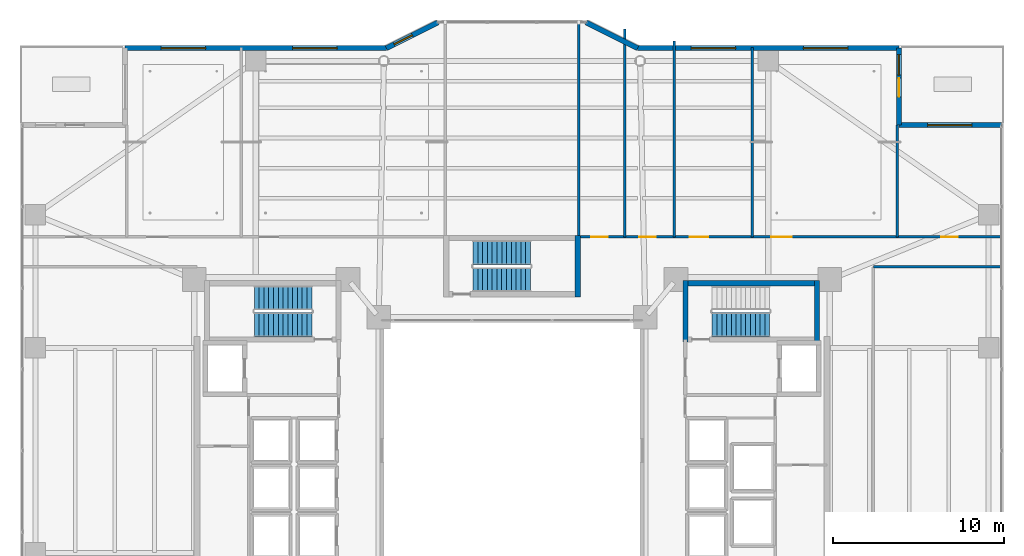
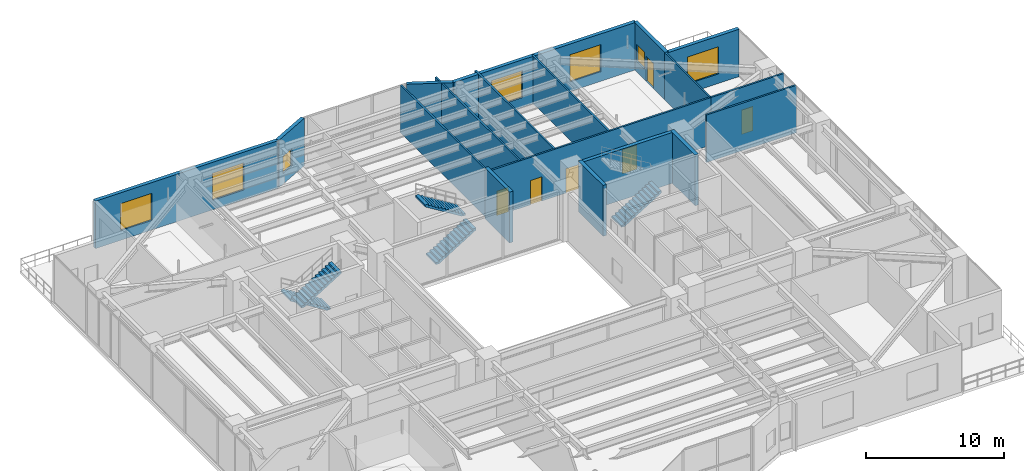
# One storey, part 32 of 40: 18 walls, 7 windows, 6 doors, 5 stair flights, 13 openings, 3 elements without a shape of their own.
"""IFC4 building model written with IfcOpenShell, lengths in metres."""

from ifc_helpers import new_model, si_unit, direction, frame, frame_2d, origin, place, context, subcontext, project, spatial, polyline, rectangle, outline, extrude, material, layer, layer_set, type_object, element, fill, aggregate, save


model = new_model("IFC4")

# Units and contexts
model_context = context("Model", 3, precision=1e-05, world=origin(), true_north=direction((0.0, 1.0)))
body_context = subcontext(model_context, "Body", "Model", "MODEL_VIEW")
ifc_project = project(units=[si_unit("LENGTHUNIT", "METRE"), si_unit("AREAUNIT", "SQUARE_METRE"), si_unit("VOLUMEUNIT", "CUBIC_METRE"), si_unit("PLANEANGLEUNIT", "RADIAN"), si_unit("MASSUNIT", "GRAM", prefix="KILO")], contexts=[model_context])

# Site, building, storey
site_placement = place(None, origin())
site = spatial("IfcSite", under=ifc_project, at=site_placement, CompositionType="ELEMENT")
building_placement = place(site_placement, origin())
building = spatial("IfcBuilding", under=site, at=building_placement, Name="Tarnavaz Court Tower", CompositionType="ELEMENT")
storey_placement = place(building_placement, frame((0.0, 0.0, 64.199951171875)))
storey = spatial("IfcBuildingStorey", under=building, at=storey_placement, Name="L17", CompositionType="ELEMENT", Elevation=64.199951171875)

# Walls
ifc_material_1 = material(Name="Concrete C60/75", Category="concrete")
ifc_layer_1 = layer(ifc_material_1, 0.300048828125)
ifc_layer_set_1 = layer_set([ifc_layer_1], Name="Concrete C60/75")
wall_type_1 = type_object("IfcWallType", Name="WL-CORE-300-C60", PredefinedType="SHEAR", material=ifc_layer_set_1)
wall_1_placement = place(storey_placement, frame((10.0, 9.7900390625, 0.0), z_axis=(0.0, 0.0, 1.0), x_axis=(1.0, 0.0, 0.0)))
element("IfcWall", 1, at=wall_1_placement, inside=storey, type_object=wall_type_1, Name="L17 East Stair Core Wall 005", PredefinedType="SHEAR", context=body_context, shape_type="SweptSolid", body=[
    extrude(rectangle(XDim=8.0, YDim=0.300048828125, at=frame_2d((4.0, 0.0))), origin(), (0.0, 0.0, 1.0), 4.5),
])
for number, where, z_axis, x_axis, name in (
    (2, (10.14990234375, 6.35009765625, 0.0), (0.0, 0.0, 1.0), (0.0, 1.0, 0.0), "L17 East Stair Core Wall 007"),
    (3, (17.85009765625, 6.35009765625, 0.0), (0.0, 0.0, 1.0), (0.0, 1.0, 0.0), "L17 East Stair Core Wall 008"),
):
    element("IfcWall", number, at=place(storey_placement, frame(where, z_axis=z_axis, x_axis=x_axis)), inside=storey, type_object=wall_type_1, Name=name, PredefinedType="SHEAR", context=body_context, shape_type="SweptSolid", body=[
        extrude(rectangle(XDim=3.58984375, YDim=0.300048828125, at=frame_2d((1.794921875, 0.0))), origin(), (0.0, 0.0, 1.0), 4.5),
    ])
wall_2_placement = place(storey_placement, frame((3.85009765625, 9.0, 0.0), z_axis=(0.0, 0.0, 1.0), x_axis=(0.0, 1.0, 0.0)))
element("IfcWall", 4, at=wall_2_placement, inside=storey, type_object=wall_type_1, Name="L17 North Stair Core Wall 012", PredefinedType="SHEAR", context=body_context, shape_type="SweptSolid", body=[
    extrude(rectangle(XDim=3.590087890625, YDim=0.300048828125, at=frame_2d((1.794921875, 0.0))), origin(), (0.0, 0.0, 1.0), 4.5),
])

# Wall, openings, windows
ifc_material_2 = material(Name="Precast Concrete C40/50", Category="concrete")
ifc_layer_2 = layer(ifc_material_2, 0.300048828125)
ifc_layer_set_2 = layer_set([ifc_layer_2], Name="Precast Concrete C40/50")
wall_type_2 = type_object("IfcWallType", Name="WL-EXT-300", PredefinedType="SOLIDWALL", material=ifc_layer_set_2)
wall_3_placement = place(storey_placement, frame((-22.64990234375, 23.550048828125, 0.0), z_axis=(0.0, 0.0, 1.0), x_axis=(1.0, 0.0, 0.0)))
wall_3 = element("IfcWall", 5, at=wall_3_placement, inside=storey, type_object=wall_type_2, Name="L17 Exterior Terracotta Facade Wall 05", PredefinedType="SOLIDWALL", context=body_context, shape_type="SweptSolid", body=[
    extrude(rectangle(XDim=15.2998046875, YDim=0.300048828125, at=frame_2d((7.64990234375, 0.0))), origin(), (0.0, 0.0, 1.0), 4.199951171875),
])
opening_1_placement = place(wall_3_placement, frame((2.111083984375, 0.0, 0.85009765625)))
opening_1 = element("IfcOpeningElement", 6, at=opening_1_placement, cuts=wall_3, Name="Opening W11", PredefinedType="OPENING", context=body_context, shape_type="SweptSolid", body=[
    extrude(rectangle(XDim=2.60009765625, YDim=2.39990234375, at=frame_2d((1.300048828125, 1.199951171875))), frame((0.0, 0.159912109375, 0.0), z_axis=(0.0, -1.0, 0.0), x_axis=(1.0, 0.0, 0.0)), (0.0, 0.0, 1.0), 0.320068359375),
])
opening_2_placement = place(wall_3_placement, frame((9.811279296875, 0.0, 0.85009765625)))
opening_2 = element("IfcOpeningElement", 7, at=opening_2_placement, cuts=wall_3, Name="Opening W11", PredefinedType="OPENING", context=body_context, shape_type="SweptSolid", body=[
    extrude(rectangle(XDim=2.60009765625, YDim=2.39990234375, at=frame_2d((1.300048828125, 1.199951171875))), frame((0.0, 0.159912109375, 0.0), z_axis=(0.0, -1.0, 0.0), x_axis=(1.0, 0.0, 0.0)), (0.0, 0.0, 1.0), 0.320068359375),
])
ifc_material_3 = material(Name="Double-Glazed Solar Low-E Glass", Category="glass")
window_type_1 = type_object("IfcWindowType", Name="WN-COM-2600", PartitioningType="TRIPLE_PANEL_VERTICAL", PredefinedType="WINDOW", material=ifc_material_3)
window_1_placement = place(opening_1_placement, origin())
window_1 = element("IfcWindow", 8, at=window_1_placement, inside=storey, type_object=window_type_1, Name="L17 L17 Community Banquet Assembly Hall Window", OverallHeight=2.39990234375, OverallWidth=2.60009765625, PartitioningType="SINGLE_PANEL", PredefinedType="WINDOW", context=body_context, shape_type="SweptSolid", body=[
    extrude(rectangle(XDim=2.60009765625, YDim=2.39990234375, at=frame_2d((1.300048828125, 1.199951171875))), frame((0.0, 0.030029296875, 0.0), z_axis=(0.0, -1.0, 0.0), x_axis=(1.0, 0.0, 0.0)), (0.0, 0.0, 1.0), 0.06005859375),
])
fill(opening_1, window_1)
window_2_placement = place(opening_2_placement, origin())
window_2 = element("IfcWindow", 9, at=window_2_placement, inside=storey, type_object=window_type_1, Name="L17 L17 Resident Study Library Window", OverallHeight=2.39990234375, OverallWidth=2.60009765625, PartitioningType="SINGLE_PANEL", PredefinedType="WINDOW", context=body_context, shape_type="SweptSolid", body=[
    extrude(rectangle(XDim=2.60009765625, YDim=2.39990234375, at=frame_2d((1.300048828125, 1.199951171875))), frame((0.0, 0.030029296875, 0.0), z_axis=(0.0, -1.0, 0.0), x_axis=(1.0, 0.0, 0.0)), (0.0, 0.0, 1.0), 0.06005859375),
])
fill(opening_2, window_2)

# Wall, opening, window
wall_4_placement = place(storey_placement, frame((-7.35009765625, 23.550048828125, 0.0), z_axis=(0.0, 0.0, 1.0), x_axis=(0.894427191, 0.4472135955, 0.0)))
wall_4 = element("IfcWall", 10, at=wall_4_placement, inside=storey, type_object=wall_type_2, Name="L17 Exterior Terracotta Facade Wall 06", PredefinedType="SOLIDWALL", context=body_context, shape_type="SweptSolid", body=[
    extrude(rectangle(XDim=3.35400390625, YDim=0.300048828125, at=frame_2d((1.677001953125, 0.0))), origin(), (0.0, 0.0, 1.0), 4.199951171875),
])
opening_3_placement = place(wall_4_placement, frame((0.501220703125, 0.0, 0.949951171875)))
opening_3 = element("IfcOpeningElement", 11, at=opening_3_placement, cuts=wall_4, Name="Opening W05", PredefinedType="OPENING", context=body_context, shape_type="SweptSolid", body=[
    extrude(rectangle(XDim=1.199951171875, YDim=1.5, at=frame_2d((0.60009765625, 0.75))), frame((0.0, 0.159912109375, 0.0), z_axis=(0.0, -1.0, 0.0), x_axis=(1.0, 0.0, 0.0)), (0.0, 0.0, 1.0), 0.320068359375),
])
window_type_2 = type_object("IfcWindowType", Name="WN-APT-1200", PartitioningType="SINGLE_PANEL", PredefinedType="WINDOW", material=ifc_material_3)
window_3_placement = place(opening_3_placement, origin())
window_3 = element("IfcWindow", 12, at=window_3_placement, inside=storey, type_object=window_type_2, Name="L17 L17 Resident Study Library Window", OverallHeight=1.5, OverallWidth=1.199951171875, PartitioningType="SINGLE_PANEL", PredefinedType="WINDOW", context=body_context, shape_type="SweptSolid", body=[
    extrude(rectangle(XDim=1.199951171875, YDim=1.5, at=frame_2d((0.60009765625, 0.75))), frame((0.0, 0.030029296875, 0.0), z_axis=(0.0, -1.0, 0.0), x_axis=(1.0, 0.0, 0.0)), (0.0, 0.0, 1.0), 0.06005859375),
])
fill(opening_3, window_3)

# Wall
wall_5_placement = place(storey_placement, frame((4.35009765625, 25.050048828125, 0.0), z_axis=(0.0, 0.0, 1.0), x_axis=(0.894427191, -0.4472135955, 0.0)))
element("IfcWall", 13, at=wall_5_placement, inside=storey, type_object=wall_type_2, Name="L17 Exterior Terracotta Facade Wall 08", PredefinedType="SOLIDWALL", context=body_context, shape_type="SweptSolid", body=[
    extrude(rectangle(XDim=3.35400390625, YDim=0.300048828125, at=frame_2d((1.677001953125, 0.0))), origin(), (0.0, 0.0, 1.0), 4.199951171875),
])

# Wall, openings, windows
wall_6_placement = place(storey_placement, frame((7.35009765625, 23.550048828125, 0.0), z_axis=(0.0, 0.0, 1.0), x_axis=(1.0, 0.0, 0.0)))
wall_6 = element("IfcWall", 14, at=wall_6_placement, inside=storey, type_object=wall_type_2, Name="L17 Exterior Terracotta Facade Wall 09", PredefinedType="SOLIDWALL", context=body_context, shape_type="SweptSolid", body=[
    extrude(rectangle(XDim=15.2998046875, YDim=0.300048828125, at=frame_2d((7.64990234375, 0.0))), origin(), (0.0, 0.0, 1.0), 4.199951171875),
])
opening_4_placement = place(wall_6_placement, frame((3.139404296875, 0.0, 0.85009765625)))
opening_4 = element("IfcOpeningElement", 15, at=opening_4_placement, cuts=wall_6, Name="Opening W11", PredefinedType="OPENING", context=body_context, shape_type="SweptSolid", body=[
    extrude(rectangle(XDim=2.60009765625, YDim=2.39990234375, at=frame_2d((1.300048828125, 1.199951171875))), frame((0.0, 0.159912109375, 0.0), z_axis=(0.0, -1.0, 0.0), x_axis=(1.0, 0.0, 0.0)), (0.0, 0.0, 1.0), 0.320068359375),
])
opening_5_placement = place(wall_6_placement, frame((9.7109375, 0.0, 0.85009765625)))
opening_5 = element("IfcOpeningElement", 16, at=opening_5_placement, cuts=wall_6, Name="Opening W11", PredefinedType="OPENING", context=body_context, shape_type="SweptSolid", body=[
    extrude(rectangle(XDim=2.60009765625, YDim=2.39990234375, at=frame_2d((1.300048828125, 1.199951171875))), frame((0.0, 0.159912109375, 0.0), z_axis=(0.0, -1.0, 0.0), x_axis=(1.0, 0.0, 0.0)), (0.0, 0.0, 1.0), 0.320068359375),
])
window_4_placement = place(opening_4_placement, origin())
window_4 = element("IfcWindow", 17, at=window_4_placement, inside=storey, type_object=window_type_1, Name="L17 Community Seminar Meeting Room Window", OverallHeight=2.39990234375, OverallWidth=2.60009765625, PartitioningType="SINGLE_PANEL", PredefinedType="WINDOW", context=body_context, shape_type="SweptSolid", body=[
    extrude(rectangle(XDim=2.60009765625, YDim=2.39990234375, at=frame_2d((1.300048828125, 1.199951171875))), frame((0.0, 0.030029296875, 0.0), z_axis=(0.0, -1.0, 0.0), x_axis=(1.0, 0.0, 0.0)), (0.0, 0.0, 1.0), 0.06005859375),
])
fill(opening_4, window_4)
window_5_placement = place(opening_5_placement, origin())
window_5 = element("IfcWindow", 18, at=window_5_placement, inside=storey, type_object=window_type_1, Name="L17 L17 Fitness Studio Window", OverallHeight=2.39990234375, OverallWidth=2.60009765625, PartitioningType="SINGLE_PANEL", PredefinedType="WINDOW", context=body_context, shape_type="SweptSolid", body=[
    extrude(rectangle(XDim=2.60009765625, YDim=2.39990234375, at=frame_2d((1.300048828125, 1.199951171875))), frame((0.0, 0.030029296875, 0.0), z_axis=(0.0, -1.0, 0.0), x_axis=(1.0, 0.0, 0.0)), (0.0, 0.0, 1.0), 0.06005859375),
])
fill(opening_5, window_5)

# Wall, openings, door, window
wall_7_placement = place(storey_placement, frame((22.64990234375, 23.550048828125, 0.0), z_axis=(0.0, 0.0, 1.0), x_axis=(0.0, -1.0, 0.0)))
wall_7 = element("IfcWall", 19, at=wall_7_placement, inside=storey, type_object=wall_type_2, Name="L17 Exterior Terracotta Facade Wall 10", PredefinedType="SOLIDWALL", context=body_context, shape_type="SweptSolid", body=[
    extrude(rectangle(XDim=4.5, YDim=0.300048828125, at=frame_2d((2.25, 0.0))), origin(), (0.0, 0.0, 1.0), 4.199951171875),
])
opening_6_placement = place(wall_7_placement, frame((1.75, 0.0, 0.0)))
opening_6 = element("IfcOpeningElement", 20, at=opening_6_placement, cuts=wall_7, Name="Opening TD1", PredefinedType="OPENING", context=body_context, shape_type="SweptSolid", body=[
    extrude(rectangle(XDim=1.10009765625, YDim=2.199951171875, at=frame_2d((0.550048828125, 1.10009765625))), frame((0.0, 0.159912109375, 0.0), z_axis=(0.0, -1.0, 0.0), x_axis=(1.0, 0.0, 0.0)), (0.0, 0.0, 1.0), 0.320068359375),
])
opening_7_placement = place(wall_7_placement, frame((0.3798828125, 0.0, 0.949951171875)))
opening_7 = element("IfcOpeningElement", 21, at=opening_7_placement, cuts=wall_7, Name="Opening W05", PredefinedType="OPENING", context=body_context, shape_type="SweptSolid", body=[
    extrude(rectangle(XDim=1.199951171875, YDim=1.5, at=frame_2d((0.60009765625, 0.75))), frame((0.0, 0.159912109375, 0.0), z_axis=(0.0, -1.0, 0.0), x_axis=(1.0, 0.0, 0.0)), (0.0, 0.0, 1.0), 0.320068359375),
])
ifc_material_4 = material(Name="Thermally Broken Aluminium and Laminated Glass", Category="aluminium")
door_type_1 = type_object("IfcDoorType", Name="DR-TERR-1100", OperationType="NOTDEFINED", PredefinedType="DOOR", material=ifc_material_4)
door_1_placement = place(opening_6_placement, origin())
door_1 = element("IfcDoor", 22, at=door_1_placement, inside=storey, type_object=door_type_1, Name="L17 Sky Terrace Access Door 1", OperationType="SINGLE_SWING_LEFT", OverallHeight=2.199951171875, OverallWidth=1.10009765625, PredefinedType="DOOR", context=body_context, shape_type="SweptSolid", body=[
    extrude(rectangle(XDim=1.10009765625, YDim=2.199951171875, at=frame_2d((0.550048828125, 1.10009765625))), frame((0.0, 0.02490234375, 0.0), z_axis=(0.0, -1.0, 0.0), x_axis=(1.0, 0.0, 0.0)), (0.0, 0.0, 1.0), 0.050048828125),
])
fill(opening_6, door_1)
window_6_placement = place(opening_7_placement, origin())
window_6 = element("IfcWindow", 23, at=window_6_placement, inside=storey, type_object=window_type_2, Name="L17 L17 Fitness Studio Window", OverallHeight=1.5, OverallWidth=1.199951171875, PartitioningType="SINGLE_PANEL", PredefinedType="WINDOW", context=body_context, shape_type="SweptSolid", body=[
    extrude(rectangle(XDim=1.199951171875, YDim=1.5, at=frame_2d((0.60009765625, 0.75))), frame((0.0, 0.030029296875, 0.0), z_axis=(0.0, -1.0, 0.0), x_axis=(1.0, 0.0, 0.0)), (0.0, 0.0, 1.0), 0.06005859375),
])
fill(opening_7, window_6)

# Wall, opening, window
wall_8_placement = place(storey_placement, frame((22.64990234375, 19.050048828125, 0.0), z_axis=(0.0, 0.0, 1.0), x_axis=(1.0, 0.0, 0.0)))
wall_8 = element("IfcWall", 24, at=wall_8_placement, inside=storey, type_object=wall_type_2, Name="L17 Exterior Terracotta Facade Wall 11", PredefinedType="SOLIDWALL", context=body_context, shape_type="SweptSolid", body=[
    extrude(rectangle(XDim=6.0, YDim=0.300048828125, at=frame_2d((3.0, 0.0))), origin(), (0.0, 0.0, 1.0), 4.199951171875),
])
opening_8_placement = place(wall_8_placement, frame((1.675048828125, 0.0, 0.85009765625)))
opening_8 = element("IfcOpeningElement", 25, at=opening_8_placement, cuts=wall_8, Name="Opening W11", PredefinedType="OPENING", context=body_context, shape_type="SweptSolid", body=[
    extrude(rectangle(XDim=2.60009765625, YDim=2.39990234375, at=frame_2d((1.300048828125, 1.199951171875))), frame((0.0, 0.159912109375, 0.0), z_axis=(0.0, -1.0, 0.0), x_axis=(1.0, 0.0, 0.0)), (0.0, 0.0, 1.0), 0.320068359375),
])
window_7_placement = place(opening_8_placement, origin())
window_7 = element("IfcWindow", 26, at=window_7_placement, inside=storey, type_object=window_type_1, Name="L17 L17 NE Terrace Salon Window", OverallHeight=2.39990234375, OverallWidth=2.60009765625, PartitioningType="SINGLE_PANEL", PredefinedType="WINDOW", context=body_context, shape_type="SweptSolid", body=[
    extrude(rectangle(XDim=2.60009765625, YDim=2.39990234375, at=frame_2d((1.300048828125, 1.199951171875))), frame((0.0, 0.030029296875, 0.0), z_axis=(0.0, -1.0, 0.0), x_axis=(1.0, 0.0, 0.0)), (0.0, 0.0, 1.0), 0.06005859375),
])
fill(opening_8, window_7)

# Wall, openings, doors
ifc_material_5 = material(Name="Gypsum Fire-Board on Acoustic Metal Stud", Category="masonry")
ifc_layer_3 = layer(ifc_material_5, 0.14990234375)
ifc_layer_set_3 = layer_set([ifc_layer_3], Name="Gypsum Fire-Board on Acoustic Metal Stud")
wall_type_3 = type_object("IfcWallType", Name="WL-FIRE-150", PredefinedType="PARTITIONING", material=ifc_layer_set_3)
wall_9_placement = place(storey_placement, frame((3.85009765625, 12.5, 0.0), z_axis=(0.0, 0.0, 1.0), x_axis=(1.0, 0.0, 0.0)))
wall_9 = element("IfcWall", 27, at=wall_9_placement, inside=storey, type_object=wall_type_3, Name="L17 NE Wing Corridor Wall 082", PredefinedType="PARTITIONING", context=body_context, shape_type="SweptSolid", body=[
    extrude(rectangle(XDim=18.699951171875, YDim=0.14990234375, at=frame_2d((9.35009765625, 0.0))), origin(), (0.0, 0.0, 1.0), 4.199951171875),
])
opening_9_placement = place(wall_9_placement, frame((0.800048828125, 0.0, 0.0)))
opening_9 = element("IfcOpeningElement", 28, at=opening_9_placement, cuts=wall_9, Name="Opening D13", PredefinedType="OPENING", context=body_context, shape_type="SweptSolid", body=[
    extrude(rectangle(XDim=0.949951171875, YDim=2.14990234375, at=frame_2d((0.47509765625, 1.074951171875))), frame((0.0, 0.0849609375, 0.0), z_axis=(0.0, -1.0, 0.0), x_axis=(1.0, 0.0, 0.0)), (0.0, 0.0, 1.0), 0.169921875),
])
opening_10_placement = place(wall_9_placement, frame((3.60009765625, 0.0, 0.0)))
opening_10 = element("IfcOpeningElement", 29, at=opening_10_placement, cuts=wall_9, Name="Opening D13", PredefinedType="OPENING", context=body_context, shape_type="SweptSolid", body=[
    extrude(rectangle(XDim=0.949951171875, YDim=2.14990234375, at=frame_2d((0.47509765625, 1.074951171875))), frame((0.0, 0.0849609375, 0.0), z_axis=(0.0, -1.0, 0.0), x_axis=(1.0, 0.0, 0.0)), (0.0, 0.0, 1.0), 0.169921875),
])
opening_11_placement = place(wall_9_placement, frame((6.550048828125, 0.0, 0.0)))
opening_11 = element("IfcOpeningElement", 30, at=opening_11_placement, cuts=wall_9, Name="Opening D12", PredefinedType="OPENING", context=body_context, shape_type="SweptSolid", body=[
    extrude(rectangle(XDim=1.080078125, YDim=2.14990234375, at=frame_2d((0.5400390625, 1.074951171875))), frame((0.0, 0.0849609375, 0.0), z_axis=(0.0, -1.0, 0.0), x_axis=(1.0, 0.0, 0.0)), (0.0, 0.0, 1.0), 0.169921875),
])
opening_12_placement = place(wall_9_placement, frame((11.31689453125, 0.0, 0.0)))
opening_12 = element("IfcOpeningElement", 31, at=opening_12_placement, cuts=wall_9, Name="Opening D11", PredefinedType="OPENING", context=body_context, shape_type="SweptSolid", body=[
    extrude(rectangle(XDim=1.199951171875, YDim=2.14990234375, at=frame_2d((0.60009765625, 1.074951171875))), frame((0.0, 0.0849609375, 0.0), z_axis=(0.0, -1.0, 0.0), x_axis=(1.0, 0.0, 0.0)), (0.0, 0.0, 1.0), 0.169921875),
])
ifc_material_6 = material(Name="Engineered Oak Timber", Category="wood")
door_type_2 = type_object("IfcDoorType", Name="DR-INT-1100", OperationType="NOTDEFINED", PredefinedType="DOOR", material=ifc_material_6)
door_2_placement = place(opening_11_placement, origin())
door_2 = element("IfcDoor", 32, at=door_2_placement, inside=storey, type_object=door_type_2, Name="L17 Community Meeting Room Door", OperationType="SINGLE_SWING_LEFT", OverallHeight=2.14990234375, OverallWidth=1.080078125, PredefinedType="DOOR", context=body_context, shape_type="SweptSolid", body=[
    extrude(rectangle(XDim=1.080078125, YDim=2.14990234375, at=frame_2d((0.5400390625, 1.074951171875))), frame((0.0, 0.02490234375, 0.0), z_axis=(0.0, -1.0, 0.0), x_axis=(1.0, 0.0, 0.0)), (0.0, 0.0, 1.0), 0.050048828125),
])
fill(opening_11, door_2)
door_type_3 = type_object("IfcDoorType", Name="DR-INT-1200", OperationType="NOTDEFINED", PredefinedType="DOOR", material=ifc_material_6)
door_3_placement = place(opening_12_placement, origin())
door_3 = element("IfcDoor", 33, at=door_3_placement, inside=storey, type_object=door_type_3, Name="L17 L17 Fitness Studio Door", OperationType="SINGLE_SWING_RIGHT", OverallHeight=2.14990234375, OverallWidth=1.199951171875, PredefinedType="DOOR", context=body_context, shape_type="SweptSolid", body=[
    extrude(rectangle(XDim=1.199951171875, YDim=2.14990234375, at=frame_2d((0.60009765625, 1.074951171875))), frame((0.0, 0.02490234375, 0.0), z_axis=(0.0, -1.0, 0.0), x_axis=(1.0, 0.0, 0.0)), (0.0, 0.0, 1.0), 0.050048828125),
])
fill(opening_12, door_3)
door_type_4 = type_object("IfcDoorType", Name="DR-INT-950", OperationType="NOTDEFINED", PredefinedType="DOOR", material=ifc_material_6)
door_4_placement = place(opening_9_placement, origin())
door_4 = element("IfcDoor", 34, at=door_4_placement, inside=storey, type_object=door_type_4, Name="L17 Accessible WC Door", OperationType="SINGLE_SWING_LEFT", OverallHeight=2.14990234375, OverallWidth=0.949951171875, PredefinedType="DOOR", context=body_context, shape_type="SweptSolid", body=[
    extrude(rectangle(XDim=0.949951171875, YDim=2.14990234375, at=frame_2d((0.47509765625, 1.074951171875))), frame((0.0, 0.02490234375, 0.0), z_axis=(0.0, -1.0, 0.0), x_axis=(1.0, 0.0, 0.0)), (0.0, 0.0, 1.0), 0.050048828125),
])
fill(opening_9, door_4)
door_5_placement = place(opening_10_placement, origin())
door_5 = element("IfcDoor", 35, at=door_5_placement, inside=storey, type_object=door_type_4, Name="L17 Public Toilets Door", OperationType="SINGLE_SWING_RIGHT", OverallHeight=2.14990234375, OverallWidth=0.949951171875, PredefinedType="DOOR", context=body_context, shape_type="SweptSolid", body=[
    extrude(rectangle(XDim=0.949951171875, YDim=2.14990234375, at=frame_2d((0.47509765625, 1.074951171875))), frame((0.0, 0.02490234375, 0.0), z_axis=(0.0, -1.0, 0.0), x_axis=(1.0, 0.0, 0.0)), (0.0, 0.0, 1.0), 0.050048828125),
])
fill(opening_10, door_5)

# Wall
wall_10_placement = place(storey_placement, frame((21.14990234375, 10.75, 0.0), z_axis=(0.0, 0.0, 1.0), x_axis=(1.0, 0.0, 0.0)))
element("IfcWall", 36, at=wall_10_placement, inside=storey, type_object=wall_type_3, Name="L17 Interior Partition 100", PredefinedType="PARTITIONING", context=body_context, shape_type="SweptSolid", body=[
    extrude(rectangle(XDim=7.530029296875, YDim=0.14990234375, at=frame_2d((3.76513671875, 0.0))), origin(), (0.0, 0.0, 1.0), 4.199951171875),
])

# Wall, opening, door
wall_11_placement = place(storey_placement, frame((22.550048828125, 12.5, 0.0), z_axis=(0.0, 0.0, 1.0), x_axis=(1.0, 0.0, 0.0)))
wall_11 = element("IfcWall", 37, at=wall_11_placement, inside=storey, type_object=wall_type_3, Name="L17 Interior Partition 106", PredefinedType="PARTITIONING", context=body_context, shape_type="SweptSolid", body=[
    extrude(rectangle(XDim=6.1298828125, YDim=0.14990234375, at=frame_2d((3.06494140625, 0.0))), origin(), (0.0, 0.0, 1.0), 4.199951171875),
])
opening_13_placement = place(wall_11_placement, frame((2.590087890625, 0.0, 0.0)))
opening_13 = element("IfcOpeningElement", 38, at=opening_13_placement, cuts=wall_11, Name="Opening D13", PredefinedType="OPENING", context=body_context, shape_type="SweptSolid", body=[
    extrude(rectangle(XDim=0.949951171875, YDim=2.14990234375, at=frame_2d((0.47509765625, 1.074951171875))), frame((0.0, 0.0849609375, 0.0), z_axis=(0.0, -1.0, 0.0), x_axis=(1.0, 0.0, 0.0)), (0.0, 0.0, 1.0), 0.169921875),
])
door_6_placement = place(opening_13_placement, origin())
door_6 = element("IfcDoor", 39, at=door_6_placement, inside=storey, type_object=door_type_4, Name="L17 NE Terrace Salon Door", OperationType="SINGLE_SWING_LEFT", OverallHeight=2.14990234375, OverallWidth=0.949951171875, PredefinedType="DOOR", context=body_context, shape_type="SweptSolid", body=[
    extrude(rectangle(XDim=0.949951171875, YDim=2.14990234375, at=frame_2d((0.47509765625, 1.074951171875))), frame((0.0, 0.02490234375, 0.0), z_axis=(0.0, -1.0, 0.0), x_axis=(1.0, 0.0, 0.0)), (0.0, 0.0, 1.0), 0.050048828125),
])
fill(opening_13, door_6)

# Walls
ifc_material_7 = material(Name="Gypsum Plasterboard Acoustic Partition", Category="masonry")
ifc_layer_4 = layer(ifc_material_7, 0.139892578125)
ifc_layer_set_4 = layer_set([ifc_layer_4], Name="Gypsum Plasterboard Acoustic Partition")
wall_type_4 = type_object("IfcWallType", Name="WL-PART-150", PredefinedType="PARTITIONING", material=ifc_layer_set_4)
wall_12_placement = place(storey_placement, frame((3.89990234375, 12.5, 0.0), z_axis=(0.0, 0.0, 1.0), x_axis=(0.0, 1.0, 0.0)))
element("IfcWall", 40, at=wall_12_placement, inside=storey, type_object=wall_type_4, Name="L17 Interior Partition 088", PredefinedType="PARTITIONING", context=body_context, shape_type="SweptSolid", body=[
    extrude(rectangle(XDim=12.580078125, YDim=0.139892578125, at=frame_2d((6.2900390625, 0.0))), origin(), (0.0, 0.0, 1.0), 4.199951171875),
])
wall_13_placement = place(storey_placement, frame((6.60009765625, 12.5, 0.0), z_axis=(0.0, 0.0, 1.0), x_axis=(0.0, 1.0, 0.0)))
element("IfcWall", 41, at=wall_13_placement, inside=storey, type_object=wall_type_4, Name="L17 Interior Partition 090", PredefinedType="PARTITIONING", context=body_context, shape_type="SweptSolid", body=[
    extrude(rectangle(XDim=12.18505859375, YDim=0.139892578125, at=frame_2d((6.092529296875, 0.0))), origin(), (0.0, 0.0, 1.0), 4.199951171875),
])
wall_14_placement = place(storey_placement, frame((9.5, 12.5, 0.0), z_axis=(0.0, 0.0, 1.0), x_axis=(0.0, 1.0, 0.0)))
element("IfcWall", 42, at=wall_14_placement, inside=storey, type_object=wall_type_4, Name="L17 Interior Partition 091", PredefinedType="PARTITIONING", context=body_context, shape_type="SweptSolid", body=[
    extrude(rectangle(XDim=11.469970703125, YDim=0.139892578125, at=frame_2d((5.73486328125, 0.0))), origin(), (0.0, 0.0, 1.0), 4.199951171875),
])
wall_15_placement = place(storey_placement, frame((14.06689453125, 12.5, 0.0), z_axis=(0.0, 0.0, 1.0), x_axis=(0.0, 1.0, 0.0)))
element("IfcWall", 43, at=wall_15_placement, inside=storey, type_object=wall_type_4, Name="L17 Interior Partition 092", PredefinedType="PARTITIONING", context=body_context, shape_type="SweptSolid", body=[
    extrude(rectangle(XDim=11.10009765625, YDim=0.139892578125, at=frame_2d((5.550048828125, 0.0))), origin(), (0.0, 0.0, 1.0), 4.199951171875),
])
wall_16_placement = place(storey_placement, frame((22.550048828125, 12.5, 0.0), z_axis=(0.0, 0.0, 1.0), x_axis=(0.0, 1.0, 0.0)))
element("IfcWall", 44, at=wall_16_placement, inside=storey, type_object=wall_type_4, Name="L17 Interior Partition 104", PredefinedType="PARTITIONING", context=body_context, shape_type="SweptSolid", body=[
    extrude(rectangle(XDim=6.550048828125, YDim=0.139892578125, at=frame_2d((3.27490234375, 0.0))), origin(), (0.0, 0.0, 1.0), 4.199951171875),
])

# Stair, stair flights
ifc_material_8 = material(Name="Concrete C40/50", Category="concrete")
stair_type = type_object("IfcStairType", Name="ST-TWR-26R", PredefinedType="HALF_TURN_STAIR", material=ifc_material_8)
stair_1_placement = place(storey_placement, origin())
stair_1 = element("IfcStair", 45, at=stair_1_placement, inside=storey, type_object=stair_type, Name="L17 West Core Pressurized Exit Stair ST-W1", PredefinedType="HALF_TURN_STAIR")
stair_flight_type = type_object("IfcStairFlightType", Name="SFL-RC-26R", PredefinedType="STRAIGHT", material=ifc_material_8)
stair_flight_1_placement = place(storey_placement, frame((-11.719970703125, 8.929931640625, 0.0), z_axis=(0.0, 0.0, 1.0), x_axis=(-1.0, 0.0, 0.0)))
stair_flight_1 = element("IfcStairFlight", 46, at=stair_flight_1_placement, type_object=stair_flight_type, Name="ST-W1 flight 1", NumberOfRisers=13, NumberOfTreads=12, PredefinedType="STRAIGHT", RiserHeight=0.173076923, TreadLength=0.28, context=body_context, shape_type="SweptSolid", body=[
    extrude(outline(polyline([(0.0, 0.0), (0.0, 0.173095703125), (0.280029296875, 0.173095703125), (0.280029296875, 0.34619140625), (0.56005859375, 0.34619140625), (0.56005859375, 0.519287109375), (0.840087890625, 0.519287109375), (0.840087890625, 0.6923828125), (1.1201171875, 0.6923828125), (1.1201171875, 0.865478515625), (1.39990234375, 0.865478515625), (1.39990234375, 1.03857421875), (1.679931640625, 1.03857421875), (1.679931640625, 1.21142578125), (1.9599609375, 1.21142578125), (1.9599609375, 1.384521484375), (2.239990234375, 1.384521484375), (2.239990234375, 1.5576171875), (2.52001953125, 1.5576171875), (2.52001953125, 1.730712890625), (2.800048828125, 1.730712890625), (2.800048828125, 1.90380859375), (3.080078125, 1.90380859375), (3.080078125, 2.076904296875), (3.360107421875, 2.076904296875), (3.360107421875, 2.25), (3.360107421875, 1.900634765625), (0.28515625, 0.0), (0.0, 0.0)])), frame((0.0, 0.7099609375, 0.0), z_axis=(0.0, -1.0, 0.0), x_axis=(1.0, 0.0, 0.0)), (0.0, 0.0, 1.0), 1.419921875),
])
stair_flight_2_placement = place(storey_placement, frame((-15.080078125, 7.360107421875, 2.25), z_axis=(0.0, 0.0, 1.0), x_axis=(1.0, 0.0, 0.0)))
stair_flight_2 = element("IfcStairFlight", 47, at=stair_flight_2_placement, type_object=stair_flight_type, Name="ST-W1 flight 2", NumberOfRisers=13, NumberOfTreads=12, PredefinedType="STRAIGHT", RiserHeight=0.173076923, TreadLength=0.28, context=body_context, shape_type="SweptSolid", body=[
    extrude(outline(polyline([(0.0, 0.0), (0.0, 0.173095703125), (0.280029296875, 0.173095703125), (0.280029296875, 0.34619140625), (0.56005859375, 0.34619140625), (0.56005859375, 0.519287109375), (0.840087890625, 0.519287109375), (0.840087890625, 0.6923828125), (1.1201171875, 0.6923828125), (1.1201171875, 0.865478515625), (1.39990234375, 0.865478515625), (1.39990234375, 1.03857421875), (1.679931640625, 1.03857421875), (1.679931640625, 1.21142578125), (1.9599609375, 1.21142578125), (1.9599609375, 1.384521484375), (2.239990234375, 1.384521484375), (2.239990234375, 1.5576171875), (2.52001953125, 1.5576171875), (2.52001953125, 1.730712890625), (2.800048828125, 1.730712890625), (2.800048828125, 1.90380859375), (3.080078125, 1.90380859375), (3.080078125, 2.076904296875), (3.360107421875, 2.076904296875), (3.360107421875, 2.25), (3.360107421875, 1.900634765625), (0.28515625, 0.0), (0.0, 0.0)])), frame((0.0, 0.7099609375, 0.0), z_axis=(0.0, -1.0, 0.0), x_axis=(1.0, 0.0, 0.0)), (0.0, 0.0, 1.0), 1.419921875),
])
aggregate(stair_1, [stair_flight_1, stair_flight_2])

# Stair, stair flight
stair_2_placement = place(storey_placement, origin())
stair_2 = element("IfcStair", 48, at=stair_2_placement, inside=storey, type_object=stair_type, Name="L17 East Core Pressurized Exit Stair ST-E1", PredefinedType="HALF_TURN_STAIR")
stair_flight_3_placement = place(storey_placement, frame((11.719970703125, 7.360107421875, 0.0), z_axis=(0.0, 0.0, 1.0), x_axis=(1.0, 0.0, 0.0)))
stair_flight_3 = element("IfcStairFlight", 49, at=stair_flight_3_placement, type_object=stair_flight_type, Name="ST-E1 flight 1", NumberOfRisers=13, NumberOfTreads=12, PredefinedType="STRAIGHT", RiserHeight=0.173076923, TreadLength=0.28, context=body_context, shape_type="SweptSolid", body=[
    extrude(outline(polyline([(0.0, 0.0), (0.0, 0.173095703125), (0.280029296875, 0.173095703125), (0.280029296875, 0.34619140625), (0.56005859375, 0.34619140625), (0.56005859375, 0.519287109375), (0.840087890625, 0.519287109375), (0.840087890625, 0.6923828125), (1.1201171875, 0.6923828125), (1.1201171875, 0.865478515625), (1.39990234375, 0.865478515625), (1.39990234375, 1.03857421875), (1.679931640625, 1.03857421875), (1.679931640625, 1.21142578125), (1.9599609375, 1.21142578125), (1.9599609375, 1.384521484375), (2.239990234375, 1.384521484375), (2.239990234375, 1.5576171875), (2.52001953125, 1.5576171875), (2.52001953125, 1.730712890625), (2.800048828125, 1.730712890625), (2.800048828125, 1.90380859375), (3.080078125, 1.90380859375), (3.080078125, 2.076904296875), (3.360107421875, 2.076904296875), (3.360107421875, 2.25), (3.360107421875, 1.900634765625), (0.28515625, 0.0), (0.0, 0.0)])), frame((0.0, 0.7099609375, 0.0), z_axis=(0.0, -1.0, 0.0), x_axis=(1.0, 0.0, 0.0)), (0.0, 0.0, 1.0), 1.419921875),
])
aggregate(stair_2, [stair_flight_3])

# Stair, stair flights
stair_3_placement = place(storey_placement, origin())
stair_3 = element("IfcStair", 50, at=stair_3_placement, inside=storey, type_object=stair_type, Name="L17 North Ring Pressurized Exit Stair ST-N1", PredefinedType="HALF_TURN_STAIR")
stair_flight_4_placement = place(storey_placement, frame((-2.280029296875, 10.010009765625, 0.0), z_axis=(0.0, 0.0, 1.0), x_axis=(1.0, 0.0, 0.0)))
stair_flight_4 = element("IfcStairFlight", 51, at=stair_flight_4_placement, type_object=stair_flight_type, Name="ST-N1 flight 1", NumberOfRisers=13, NumberOfTreads=12, PredefinedType="STRAIGHT", RiserHeight=0.173076923, TreadLength=0.28, context=body_context, shape_type="SweptSolid", body=[
    extrude(outline(polyline([(0.0, 0.0), (0.0, 0.173095703125), (0.280029296875, 0.173095703125), (0.280029296875, 0.34619140625), (0.56005859375, 0.34619140625), (0.56005859375, 0.519287109375), (0.840087890625, 0.519287109375), (0.840087890625, 0.6923828125), (1.1201171875, 0.6923828125), (1.1201171875, 0.865478515625), (1.39990234375, 0.865478515625), (1.39990234375, 1.03857421875), (1.679931640625, 1.03857421875), (1.679931640625, 1.21142578125), (1.9599609375, 1.21142578125), (1.9599609375, 1.384521484375), (2.239990234375, 1.384521484375), (2.239990234375, 1.5576171875), (2.52001953125, 1.5576171875), (2.52001953125, 1.730712890625), (2.800048828125, 1.730712890625), (2.800048828125, 1.90380859375), (3.080078125, 1.90380859375), (3.080078125, 2.076904296875), (3.360107421875, 2.076904296875), (3.360107421875, 2.25), (3.360107421875, 1.900634765625), (0.28515625, 0.0), (0.0, 0.0)])), frame((0.0, 0.7099609375, 0.0), z_axis=(0.0, -1.0, 0.0), x_axis=(1.0, 0.0, 0.0)), (0.0, 0.0, 1.0), 1.419921875),
])
stair_flight_5_placement = place(storey_placement, frame((1.080078125, 11.580078125, 2.25), z_axis=(0.0, 0.0, 1.0), x_axis=(-1.0, 0.0, 0.0)))
stair_flight_5 = element("IfcStairFlight", 52, at=stair_flight_5_placement, type_object=stair_flight_type, Name="ST-N1 flight 2", NumberOfRisers=13, NumberOfTreads=12, PredefinedType="STRAIGHT", RiserHeight=0.173076923, TreadLength=0.28, context=body_context, shape_type="SweptSolid", body=[
    extrude(outline(polyline([(0.0, 0.0), (0.0, 0.173095703125), (0.280029296875, 0.173095703125), (0.280029296875, 0.34619140625), (0.56005859375, 0.34619140625), (0.56005859375, 0.519287109375), (0.840087890625, 0.519287109375), (0.840087890625, 0.6923828125), (1.1201171875, 0.6923828125), (1.1201171875, 0.865478515625), (1.39990234375, 0.865478515625), (1.39990234375, 1.03857421875), (1.679931640625, 1.03857421875), (1.679931640625, 1.21142578125), (1.9599609375, 1.21142578125), (1.9599609375, 1.384521484375), (2.239990234375, 1.384521484375), (2.239990234375, 1.5576171875), (2.52001953125, 1.5576171875), (2.52001953125, 1.730712890625), (2.800048828125, 1.730712890625), (2.800048828125, 1.90380859375), (3.080078125, 1.90380859375), (3.080078125, 2.076904296875), (3.360107421875, 2.076904296875), (3.360107421875, 2.25), (3.360107421875, 1.900634765625), (0.28515625, 0.0), (0.0, 0.0)])), frame((0.0, 0.7099609375, 0.0), z_axis=(0.0, -1.0, 0.0), x_axis=(1.0, 0.0, 0.0)), (0.0, 0.0, 1.0), 1.419921875),
])
aggregate(stair_3, [stair_flight_4, stair_flight_5])

save(model, "model.ifc")
